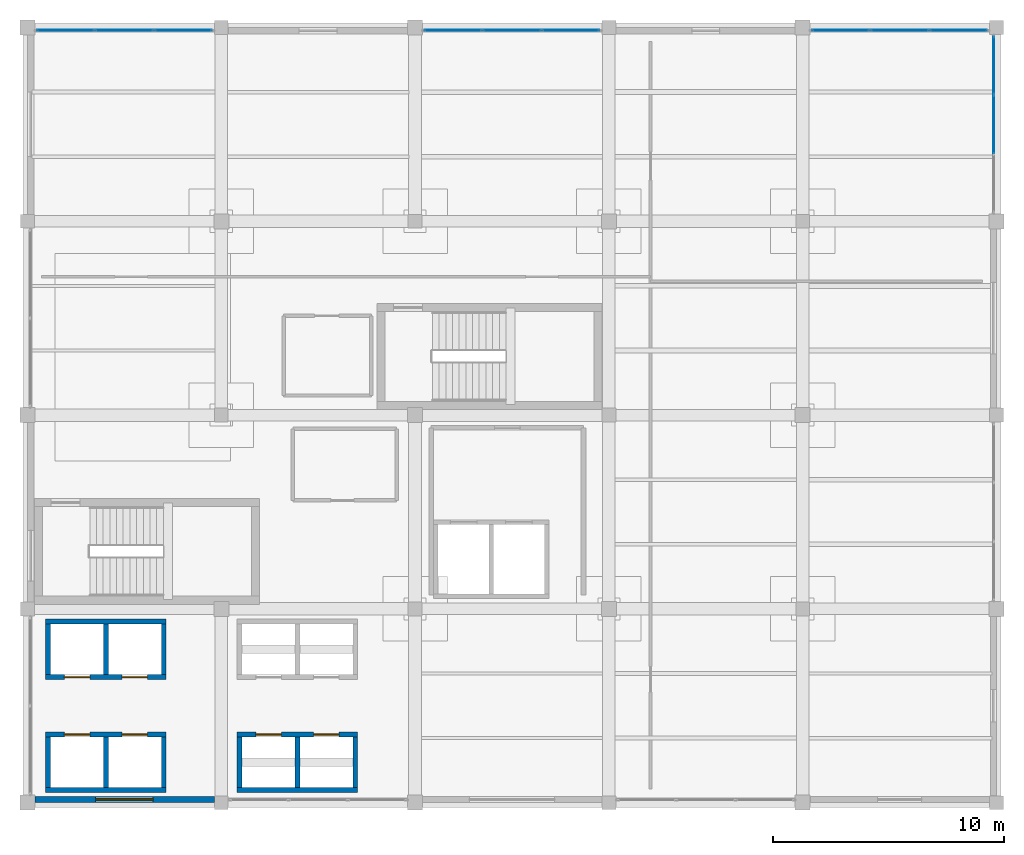
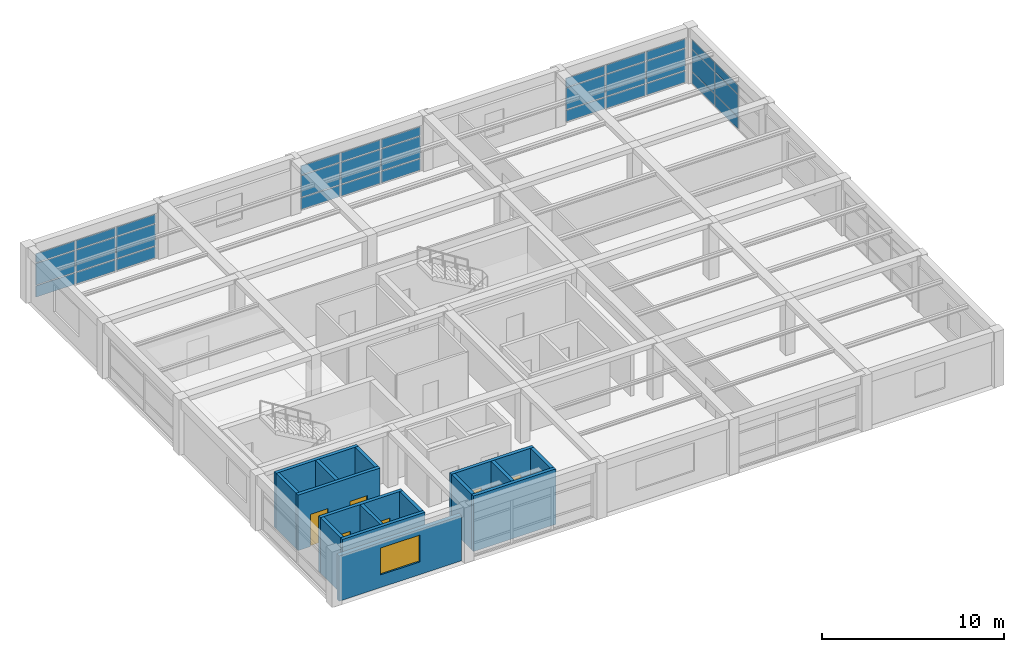
# One storey, part 23 of 26: 33 plates, 16 walls, 6 doors, 1 window, 7 openings, 4 elements without a shape of their own.
"""IFC4 building model written with IfcOpenShell, lengths in metres."""

from ifc_helpers import new_model, si_unit, direction, frame, frame_2d, origin, origin_2d, place, context, subcontext, project, spatial, rectangle, extrude, material, layer, layer_set, type_object, element, fill, aggregate, save


model = new_model("IFC4")

# Units and contexts
model_context = context("Model", 3, precision=1e-05, world=origin(), true_north=direction((0.0, 1.0)))
body_context = subcontext(model_context, "Body", "Model", "MODEL_VIEW")
ifc_project = project(units=[si_unit("LENGTHUNIT", "METRE"), si_unit("AREAUNIT", "SQUARE_METRE"), si_unit("VOLUMEUNIT", "CUBIC_METRE"), si_unit("PLANEANGLEUNIT", "RADIAN"), si_unit("MASSUNIT", "GRAM", prefix="KILO")], contexts=[model_context])

# Site, building, storey
site_placement = place(None, origin())
site = spatial("IfcSite", under=ifc_project, at=site_placement, CompositionType="ELEMENT")
building_placement = place(site_placement, origin())
building = spatial("IfcBuilding", under=site, at=building_placement, Name="Almacenes y Pasaje Nevantli", CompositionType="ELEMENT")
storey_placement = place(building_placement, frame((0.0, 0.0, 46.699951171875)))
storey = spatial("IfcBuildingStorey", under=building, at=storey_placement, Name="L11", CompositionType="ELEMENT", Elevation=46.699951171875)

# Curtain wall, plates
ifc_material_1 = material(Name="Thermally Broken Aluminium and Low-E Glass", Category="aluminium")
curtain_wall_type = type_object("IfcCurtainWallType", Name="CW-UNIT-TOWER", PredefinedType="USERDEFINED", material=ifc_material_1)
curtain_wall_1_placement = place(storey_placement, origin())
curtain_wall_1 = element("IfcCurtainWall", 1, at=curtain_wall_1_placement, inside=storey, type_object=curtain_wall_type, Name="L11 Tower North Boulevard Unitized Curtain Wall Bay 15", ObjectType="UNITIZED CURTAIN WALL", PredefinedType="USERDEFINED")
ifc_material_2 = material(Name="Acoustic Tempered Low-E Triple Glazed Unit", Category="glass")
ifc_layer_1 = layer(ifc_material_2, 0.0419921875)
ifc_layer_set_1 = layer_set([ifc_layer_1], Name="Acoustic Tempered Low-E Triple Glazed Unit")
plate_type = type_object("IfcPlateType", Name="PL-IGU-42", PredefinedType="CURTAIN_PANEL", material=ifc_layer_set_1)
plate_1_placement = place(storey_placement, frame((119.24951171875, 100.679931640625, 0.065185546875), z_axis=(0.0, 0.0, 1.0), x_axis=(1.0, 0.0, 0.0)))
plate_1 = element("IfcPlate", 2, at=plate_1_placement, type_object=plate_type, Name="CW-L11-150 panel 1.1", PredefinedType="CURTAIN_PANEL", context=body_context, shape_type="SweptSolid", body=[
    extrude(rectangle(XDim=2.46923828125, YDim=0.0419921875, at=origin_2d()), origin(), (0.0, 0.0, 1.0), 0.75244140625),
])
plate_2_placement = place(storey_placement, frame((119.24951171875, 100.679931640625, 0.882568359375), z_axis=(0.0, 0.0, 1.0), x_axis=(1.0, 0.0, 0.0)))
plate_2 = element("IfcPlate", 3, at=plate_2_placement, type_object=plate_type, Name="CW-L11-150 panel 1.2", PredefinedType="CURTAIN_PANEL", context=body_context, shape_type="SweptSolid", body=[
    extrude(rectangle(XDim=2.46923828125, YDim=0.0419921875, at=origin_2d()), origin(), (0.0, 0.0, 1.0), 1.43505859375),
])
plate_3_placement = place(storey_placement, frame((119.24951171875, 100.679931640625, 2.38232421875), z_axis=(0.0, 0.0, 1.0), x_axis=(1.0, 0.0, 0.0)))
plate_3 = element("IfcPlate", 4, at=plate_3_placement, type_object=plate_type, Name="CW-L11-150 panel 1.3", PredefinedType="CURTAIN_PANEL", context=body_context, shape_type="SweptSolid", body=[
    extrude(rectangle(XDim=2.46923828125, YDim=0.0419921875, at=origin_2d()), origin(), (0.0, 0.0, 1.0), 0.592529296875),
])
plate_4_placement = place(storey_placement, frame((121.800048828125, 100.679931640625, 0.065185546875), z_axis=(0.0, 0.0, 1.0), x_axis=(1.0, 0.0, 0.0)))
plate_4 = element("IfcPlate", 5, at=plate_4_placement, type_object=plate_type, Name="CW-L11-150 panel 2.1", PredefinedType="CURTAIN_PANEL", context=body_context, shape_type="SweptSolid", body=[
    extrude(rectangle(XDim=2.501708984375, YDim=0.0419921875, at=origin_2d()), origin(), (0.0, 0.0, 1.0), 0.75244140625),
])
plate_5_placement = place(storey_placement, frame((121.800048828125, 100.679931640625, 0.882568359375), z_axis=(0.0, 0.0, 1.0), x_axis=(1.0, 0.0, 0.0)))
plate_5 = element("IfcPlate", 6, at=plate_5_placement, type_object=plate_type, Name="CW-L11-150 panel 2.2", PredefinedType="CURTAIN_PANEL", context=body_context, shape_type="SweptSolid", body=[
    extrude(rectangle(XDim=2.501708984375, YDim=0.0419921875, at=origin_2d()), origin(), (0.0, 0.0, 1.0), 1.43505859375),
])
plate_6_placement = place(storey_placement, frame((121.800048828125, 100.679931640625, 2.38232421875), z_axis=(0.0, 0.0, 1.0), x_axis=(1.0, 0.0, 0.0)))
plate_6 = element("IfcPlate", 7, at=plate_6_placement, type_object=plate_type, Name="CW-L11-150 panel 2.3", PredefinedType="CURTAIN_PANEL", context=body_context, shape_type="SweptSolid", body=[
    extrude(rectangle(XDim=2.501708984375, YDim=0.0419921875, at=origin_2d()), origin(), (0.0, 0.0, 1.0), 0.592529296875),
])
plate_7_placement = place(storey_placement, frame((124.350341796875, 100.679931640625, 0.065185546875), z_axis=(0.0, 0.0, 1.0), x_axis=(1.0, 0.0, 0.0)))
plate_7 = element("IfcPlate", 8, at=plate_7_placement, type_object=plate_type, Name="CW-L11-150 panel 3.1", PredefinedType="CURTAIN_PANEL", context=body_context, shape_type="SweptSolid", body=[
    extrude(rectangle(XDim=2.46923828125, YDim=0.0419921875, at=origin_2d()), origin(), (0.0, 0.0, 1.0), 0.75244140625),
])
plate_8_placement = place(storey_placement, frame((124.350341796875, 100.679931640625, 0.882568359375), z_axis=(0.0, 0.0, 1.0), x_axis=(1.0, 0.0, 0.0)))
plate_8 = element("IfcPlate", 9, at=plate_8_placement, type_object=plate_type, Name="CW-L11-150 panel 3.2", PredefinedType="CURTAIN_PANEL", context=body_context, shape_type="SweptSolid", body=[
    extrude(rectangle(XDim=2.46923828125, YDim=0.0419921875, at=origin_2d()), origin(), (0.0, 0.0, 1.0), 1.43505859375),
])
plate_9_placement = place(storey_placement, frame((124.350341796875, 100.679931640625, 2.38232421875), z_axis=(0.0, 0.0, 1.0), x_axis=(1.0, 0.0, 0.0)))
plate_9 = element("IfcPlate", 10, at=plate_9_placement, type_object=plate_type, Name="CW-L11-150 panel 3.3", PredefinedType="CURTAIN_PANEL", context=body_context, shape_type="SweptSolid", body=[
    extrude(rectangle(XDim=2.46923828125, YDim=0.0419921875, at=origin_2d()), origin(), (0.0, 0.0, 1.0), 0.592529296875),
])
aggregate(curtain_wall_1, [plate_1, plate_2, plate_3, plate_4, plate_5, plate_6, plate_7, plate_8, plate_9])

curtain_wall_2_placement = place(storey_placement, origin())
curtain_wall_2 = element("IfcCurtainWall", 11, at=curtain_wall_2_placement, inside=storey, type_object=curtain_wall_type, Name="L11 Tower North Boulevard Unitized Curtain Wall Bay 17", ObjectType="UNITIZED CURTAIN WALL", PredefinedType="USERDEFINED")
plate_10_placement = place(storey_placement, frame((136.049560546875, 100.679931640625, 0.065185546875), z_axis=(0.0, 0.0, 1.0), x_axis=(1.0, 0.0, 0.0)))
plate_10 = element("IfcPlate", 12, at=plate_10_placement, type_object=plate_type, Name="CW-L11-152 panel 1.1", PredefinedType="CURTAIN_PANEL", context=body_context, shape_type="SweptSolid", body=[
    extrude(rectangle(XDim=2.46923828125, YDim=0.0419921875, at=origin_2d()), origin(), (0.0, 0.0, 1.0), 0.75244140625),
])
plate_11_placement = place(storey_placement, frame((136.049560546875, 100.679931640625, 0.882568359375), z_axis=(0.0, 0.0, 1.0), x_axis=(1.0, 0.0, 0.0)))
plate_11 = element("IfcPlate", 13, at=plate_11_placement, type_object=plate_type, Name="CW-L11-152 panel 1.2", PredefinedType="CURTAIN_PANEL", context=body_context, shape_type="SweptSolid", body=[
    extrude(rectangle(XDim=2.46923828125, YDim=0.0419921875, at=origin_2d()), origin(), (0.0, 0.0, 1.0), 1.43505859375),
])
plate_12_placement = place(storey_placement, frame((136.049560546875, 100.679931640625, 2.38232421875), z_axis=(0.0, 0.0, 1.0), x_axis=(1.0, 0.0, 0.0)))
plate_12 = element("IfcPlate", 14, at=plate_12_placement, type_object=plate_type, Name="CW-L11-152 panel 1.3", PredefinedType="CURTAIN_PANEL", context=body_context, shape_type="SweptSolid", body=[
    extrude(rectangle(XDim=2.46923828125, YDim=0.0419921875, at=origin_2d()), origin(), (0.0, 0.0, 1.0), 0.592529296875),
])
plate_13_placement = place(storey_placement, frame((138.60009765625, 100.679931640625, 0.065185546875), z_axis=(0.0, 0.0, 1.0), x_axis=(1.0, 0.0, 0.0)))
plate_13 = element("IfcPlate", 15, at=plate_13_placement, type_object=plate_type, Name="CW-L11-152 panel 2.1", PredefinedType="CURTAIN_PANEL", context=body_context, shape_type="SweptSolid", body=[
    extrude(rectangle(XDim=2.501708984375, YDim=0.0419921875, at=origin_2d()), origin(), (0.0, 0.0, 1.0), 0.75244140625),
])
plate_14_placement = place(storey_placement, frame((138.60009765625, 100.679931640625, 0.882568359375), z_axis=(0.0, 0.0, 1.0), x_axis=(1.0, 0.0, 0.0)))
plate_14 = element("IfcPlate", 16, at=plate_14_placement, type_object=plate_type, Name="CW-L11-152 panel 2.2", PredefinedType="CURTAIN_PANEL", context=body_context, shape_type="SweptSolid", body=[
    extrude(rectangle(XDim=2.501708984375, YDim=0.0419921875, at=origin_2d()), origin(), (0.0, 0.0, 1.0), 1.43505859375),
])
plate_15_placement = place(storey_placement, frame((138.60009765625, 100.679931640625, 2.38232421875), z_axis=(0.0, 0.0, 1.0), x_axis=(1.0, 0.0, 0.0)))
plate_15 = element("IfcPlate", 17, at=plate_15_placement, type_object=plate_type, Name="CW-L11-152 panel 2.3", PredefinedType="CURTAIN_PANEL", context=body_context, shape_type="SweptSolid", body=[
    extrude(rectangle(XDim=2.501708984375, YDim=0.0419921875, at=origin_2d()), origin(), (0.0, 0.0, 1.0), 0.592529296875),
])
plate_16_placement = place(storey_placement, frame((141.150390625, 100.679931640625, 0.065185546875), z_axis=(0.0, 0.0, 1.0), x_axis=(1.0, 0.0, 0.0)))
plate_16 = element("IfcPlate", 18, at=plate_16_placement, type_object=plate_type, Name="CW-L11-152 panel 3.1", PredefinedType="CURTAIN_PANEL", context=body_context, shape_type="SweptSolid", body=[
    extrude(rectangle(XDim=2.46923828125, YDim=0.0419921875, at=origin_2d()), origin(), (0.0, 0.0, 1.0), 0.75244140625),
])
plate_17_placement = place(storey_placement, frame((141.150390625, 100.679931640625, 0.882568359375), z_axis=(0.0, 0.0, 1.0), x_axis=(1.0, 0.0, 0.0)))
plate_17 = element("IfcPlate", 19, at=plate_17_placement, type_object=plate_type, Name="CW-L11-152 panel 3.2", PredefinedType="CURTAIN_PANEL", context=body_context, shape_type="SweptSolid", body=[
    extrude(rectangle(XDim=2.46923828125, YDim=0.0419921875, at=origin_2d()), origin(), (0.0, 0.0, 1.0), 1.43505859375),
])
plate_18_placement = place(storey_placement, frame((141.150390625, 100.679931640625, 2.38232421875), z_axis=(0.0, 0.0, 1.0), x_axis=(1.0, 0.0, 0.0)))
plate_18 = element("IfcPlate", 20, at=plate_18_placement, type_object=plate_type, Name="CW-L11-152 panel 3.3", PredefinedType="CURTAIN_PANEL", context=body_context, shape_type="SweptSolid", body=[
    extrude(rectangle(XDim=2.46923828125, YDim=0.0419921875, at=origin_2d()), origin(), (0.0, 0.0, 1.0), 0.592529296875),
])
aggregate(curtain_wall_2, [plate_10, plate_11, plate_12, plate_13, plate_14, plate_15, plate_16, plate_17, plate_18])

curtain_wall_3_placement = place(storey_placement, origin())
curtain_wall_3 = element("IfcCurtainWall", 21, at=curtain_wall_3_placement, inside=storey, type_object=curtain_wall_type, Name="L11 Tower North Boulevard Unitized Curtain Wall Bay 19", ObjectType="UNITIZED CURTAIN WALL", PredefinedType="USERDEFINED")
plate_19_placement = place(storey_placement, frame((152.849609375, 100.679931640625, 0.065185546875), z_axis=(0.0, 0.0, 1.0), x_axis=(1.0, 0.0, 0.0)))
plate_19 = element("IfcPlate", 22, at=plate_19_placement, type_object=plate_type, Name="CW-L11-154 panel 1.1", PredefinedType="CURTAIN_PANEL", context=body_context, shape_type="SweptSolid", body=[
    extrude(rectangle(XDim=2.46923828125, YDim=0.0419921875, at=origin_2d()), origin(), (0.0, 0.0, 1.0), 0.75244140625),
])
plate_20_placement = place(storey_placement, frame((152.849609375, 100.679931640625, 0.882568359375), z_axis=(0.0, 0.0, 1.0), x_axis=(1.0, 0.0, 0.0)))
plate_20 = element("IfcPlate", 23, at=plate_20_placement, type_object=plate_type, Name="CW-L11-154 panel 1.2", PredefinedType="CURTAIN_PANEL", context=body_context, shape_type="SweptSolid", body=[
    extrude(rectangle(XDim=2.46923828125, YDim=0.0419921875, at=origin_2d()), origin(), (0.0, 0.0, 1.0), 1.43505859375),
])
plate_21_placement = place(storey_placement, frame((152.849609375, 100.679931640625, 2.38232421875), z_axis=(0.0, 0.0, 1.0), x_axis=(1.0, 0.0, 0.0)))
plate_21 = element("IfcPlate", 24, at=plate_21_placement, type_object=plate_type, Name="CW-L11-154 panel 1.3", PredefinedType="CURTAIN_PANEL", context=body_context, shape_type="SweptSolid", body=[
    extrude(rectangle(XDim=2.46923828125, YDim=0.0419921875, at=origin_2d()), origin(), (0.0, 0.0, 1.0), 0.592529296875),
])
plate_22_placement = place(storey_placement, frame((155.39990234375, 100.679931640625, 0.065185546875), z_axis=(0.0, 0.0, 1.0), x_axis=(1.0, 0.0, 0.0)))
plate_22 = element("IfcPlate", 25, at=plate_22_placement, type_object=plate_type, Name="CW-L11-154 panel 2.1", PredefinedType="CURTAIN_PANEL", context=body_context, shape_type="SweptSolid", body=[
    extrude(rectangle(XDim=2.501708984375, YDim=0.0419921875, at=origin_2d()), origin(), (0.0, 0.0, 1.0), 0.75244140625),
])
plate_23_placement = place(storey_placement, frame((155.39990234375, 100.679931640625, 0.882568359375), z_axis=(0.0, 0.0, 1.0), x_axis=(1.0, 0.0, 0.0)))
plate_23 = element("IfcPlate", 26, at=plate_23_placement, type_object=plate_type, Name="CW-L11-154 panel 2.2", PredefinedType="CURTAIN_PANEL", context=body_context, shape_type="SweptSolid", body=[
    extrude(rectangle(XDim=2.501708984375, YDim=0.0419921875, at=origin_2d()), origin(), (0.0, 0.0, 1.0), 1.43505859375),
])
plate_24_placement = place(storey_placement, frame((155.39990234375, 100.679931640625, 2.38232421875), z_axis=(0.0, 0.0, 1.0), x_axis=(1.0, 0.0, 0.0)))
plate_24 = element("IfcPlate", 27, at=plate_24_placement, type_object=plate_type, Name="CW-L11-154 panel 2.3", PredefinedType="CURTAIN_PANEL", context=body_context, shape_type="SweptSolid", body=[
    extrude(rectangle(XDim=2.501708984375, YDim=0.0419921875, at=origin_2d()), origin(), (0.0, 0.0, 1.0), 0.592529296875),
])
plate_25_placement = place(storey_placement, frame((157.950439453125, 100.679931640625, 0.065185546875), z_axis=(0.0, 0.0, 1.0), x_axis=(1.0, 0.0, 0.0)))
plate_25 = element("IfcPlate", 28, at=plate_25_placement, type_object=plate_type, Name="CW-L11-154 panel 3.1", PredefinedType="CURTAIN_PANEL", context=body_context, shape_type="SweptSolid", body=[
    extrude(rectangle(XDim=2.46923828125, YDim=0.0419921875, at=origin_2d()), origin(), (0.0, 0.0, 1.0), 0.75244140625),
])
plate_26_placement = place(storey_placement, frame((157.950439453125, 100.679931640625, 0.882568359375), z_axis=(0.0, 0.0, 1.0), x_axis=(1.0, 0.0, 0.0)))
plate_26 = element("IfcPlate", 29, at=plate_26_placement, type_object=plate_type, Name="CW-L11-154 panel 3.2", PredefinedType="CURTAIN_PANEL", context=body_context, shape_type="SweptSolid", body=[
    extrude(rectangle(XDim=2.46923828125, YDim=0.0419921875, at=origin_2d()), origin(), (0.0, 0.0, 1.0), 1.43505859375),
])
plate_27_placement = place(storey_placement, frame((157.950439453125, 100.679931640625, 2.38232421875), z_axis=(0.0, 0.0, 1.0), x_axis=(1.0, 0.0, 0.0)))
plate_27 = element("IfcPlate", 30, at=plate_27_placement, type_object=plate_type, Name="CW-L11-154 panel 3.3", PredefinedType="CURTAIN_PANEL", context=body_context, shape_type="SweptSolid", body=[
    extrude(rectangle(XDim=2.46923828125, YDim=0.0419921875, at=origin_2d()), origin(), (0.0, 0.0, 1.0), 0.592529296875),
])
aggregate(curtain_wall_3, [plate_19, plate_20, plate_21, plate_22, plate_23, plate_24, plate_25, plate_26, plate_27])

curtain_wall_4_placement = place(storey_placement, origin())
curtain_wall_4 = element("IfcCurtainWall", 31, at=curtain_wall_4_placement, inside=storey, type_object=curtain_wall_type, Name="L11 Tower East Curtain Wall Bay 12", ObjectType="UNITIZED CURTAIN WALL", PredefinedType="USERDEFINED")
plate_28_placement = place(storey_placement, frame((159.47998046875, 96.60009765625, 0.06005859375), z_axis=(0.0, 0.0, 1.0), x_axis=(0.0, 1.0, 0.0)))
plate_28 = element("IfcPlate", 32, at=plate_28_placement, type_object=plate_type, Name="CW-L11-158 panel 2.1", PredefinedType="CURTAIN_PANEL", context=body_context, shape_type="SweptSolid", body=[
    extrude(rectangle(XDim=2.506591796875, YDim=0.0419921875, at=origin_2d()), origin(), (0.0, 0.0, 1.0), 0.760009765625),
])
plate_29_placement = place(storey_placement, frame((159.47998046875, 96.60009765625, 0.880126953125), z_axis=(0.0, 0.0, 1.0), x_axis=(0.0, 1.0, 0.0)))
plate_29 = element("IfcPlate", 33, at=plate_29_placement, type_object=plate_type, Name="CW-L11-158 panel 2.2", PredefinedType="CURTAIN_PANEL", context=body_context, shape_type="SweptSolid", body=[
    extrude(rectangle(XDim=2.506591796875, YDim=0.0419921875, at=origin_2d()), origin(), (0.0, 0.0, 1.0), 1.43994140625),
])
plate_30_placement = place(storey_placement, frame((159.47998046875, 96.60009765625, 2.3798828125), z_axis=(0.0, 0.0, 1.0), x_axis=(0.0, 1.0, 0.0)))
plate_30 = element("IfcPlate", 34, at=plate_30_placement, type_object=plate_type, Name="CW-L11-158 panel 2.3", PredefinedType="CURTAIN_PANEL", context=body_context, shape_type="SweptSolid", body=[
    extrude(rectangle(XDim=2.506591796875, YDim=0.0419921875, at=origin_2d()), origin(), (0.0, 0.0, 1.0), 0.60009765625),
])
plate_31_placement = place(storey_placement, frame((159.47998046875, 99.151611328125, 0.06005859375), z_axis=(0.0, 0.0, 1.0), x_axis=(0.0, 1.0, 0.0)))
plate_31 = element("IfcPlate", 35, at=plate_31_placement, type_object=plate_type, Name="CW-L11-158 panel 3.1", PredefinedType="CURTAIN_PANEL", context=body_context, shape_type="SweptSolid", body=[
    extrude(rectangle(XDim=2.4765625, YDim=0.0419921875, at=origin_2d()), origin(), (0.0, 0.0, 1.0), 0.760009765625),
])
plate_32_placement = place(storey_placement, frame((159.47998046875, 99.151611328125, 0.880126953125), z_axis=(0.0, 0.0, 1.0), x_axis=(0.0, 1.0, 0.0)))
plate_32 = element("IfcPlate", 36, at=plate_32_placement, type_object=plate_type, Name="CW-L11-158 panel 3.2", PredefinedType="CURTAIN_PANEL", context=body_context, shape_type="SweptSolid", body=[
    extrude(rectangle(XDim=2.4765625, YDim=0.0419921875, at=origin_2d()), origin(), (0.0, 0.0, 1.0), 1.43994140625),
])
plate_33_placement = place(storey_placement, frame((159.47998046875, 99.151611328125, 2.3798828125), z_axis=(0.0, 0.0, 1.0), x_axis=(0.0, 1.0, 0.0)))
plate_33 = element("IfcPlate", 37, at=plate_33_placement, type_object=plate_type, Name="CW-L11-158 panel 3.3", PredefinedType="CURTAIN_PANEL", context=body_context, shape_type="SweptSolid", body=[
    extrude(rectangle(XDim=2.4765625, YDim=0.0419921875, at=origin_2d()), origin(), (0.0, 0.0, 1.0), 0.60009765625),
])
aggregate(curtain_wall_4, [plate_28, plate_29, plate_30, plate_31, plate_32, plate_33])

# Wall, opening, window
ifc_material_3 = material(Name="Cream Architectural Precast Concrete C35/45 Wall", Category="concrete")
ifc_layer_2 = layer(ifc_material_3, 0.260009765625)
ifc_layer_set_2 = layer_set([ifc_layer_2], Name="Cream Architectural Precast Concrete C35/45 Wall")
wall_type_1 = type_object("IfcWallType", Name="WL-EXT-PRECAST-260", PredefinedType="SOLIDWALL", material=ifc_layer_set_2)
wall_1_placement = place(storey_placement, frame((117.927978515625, 67.340087890625, 0.0), z_axis=(0.0, 0.0, 1.0), x_axis=(1.0, 0.0, 0.0)))
wall_1 = element("IfcWall", 38, at=wall_1_placement, inside=storey, type_object=wall_type_1, Name="L11 Tower South Precast Spandrel Wall Bay 15", PredefinedType="SOLIDWALL", context=body_context, shape_type="SweptSolid", body=[
    extrude(rectangle(XDim=7.76806640625, YDim=0.260009765625, at=frame_2d((3.884033203125, 0.0))), origin(), (0.0, 0.0, 1.0), 3.0400390625),
])
opening_1_placement = place(wall_1_placement, frame((2.6220703125, 0.0, 0.85009765625)))
opening_1 = element("IfcOpeningElement", 39, at=opening_1_placement, cuts=wall_1, Name="Opening WT-30-241", PredefinedType="OPENING", context=body_context, shape_type="SweptSolid", body=[
    extrude(rectangle(XDim=2.5, YDim=1.800048828125, at=frame_2d((1.25, 0.89990234375))), frame((0.0, 0.139892578125, 0.0), z_axis=(0.0, -1.0, 0.0), x_axis=(1.0, 0.0, 0.0)), (0.0, 0.0, 1.0), 0.280029296875),
])
ifc_material_4 = material(Name="Thermally Broken Aluminium and Low-E Double Glazing", Category="aluminium")
window_type = type_object("IfcWindowType", Name="WN-TWR-2500x1800", PartitioningType="SINGLE_PANEL", PredefinedType="WINDOW", material=ifc_material_4)
window_placement = place(opening_1_placement, origin())
window = element("IfcWindow", 40, at=window_placement, inside=storey, type_object=window_type, Name="L11 Exterior Window WT-30 #241", OverallHeight=1.800048828125, OverallWidth=2.5, PartitioningType="SINGLE_PANEL", PredefinedType="WINDOW", context=body_context, shape_type="SweptSolid", body=[
    extrude(rectangle(XDim=2.5, YDim=1.800048828125, at=frame_2d((1.25, 0.89990234375))), frame((0.0, 0.030029296875, 0.0), z_axis=(0.0, -1.0, 0.0), x_axis=(1.0, 0.0, 0.0)), (0.0, 0.0, 1.0), 0.06005859375),
])
fill(opening_1, window)

# Wall
ifc_material_5 = material(Name="Concrete C45/55", Category="concrete")
ifc_layer_3 = layer(ifc_material_5, 0.2099609375)
ifc_layer_set_3 = layer_set([ifc_layer_3], Name="Concrete C45/55")
wall_type_2 = type_object("IfcWallType", Name="WL-SHAFT-210", PredefinedType="SHEAR", material=ifc_layer_set_3)
wall_2_placement = place(storey_placement, frame((126.68994140625, 67.7451171875, 0.0), z_axis=(0.0, 0.0, 1.0), x_axis=(1.0, 0.0, 0.0)))
element("IfcWall", 41, at=wall_2_placement, inside=storey, type_object=wall_type_2, Name="L11 Lift Hoistway ELV-P01-ELV-P02 South Wall", PredefinedType="SHEAR", context=body_context, shape_type="SweptSolid", body=[
    extrude(rectangle(XDim=5.219970703125, YDim=0.2099609375, at=frame_2d((2.60986328125, 0.0))), origin(), (0.0, 0.0, 1.0), 3.719970703125),
])

# Wall, openings, doors
wall_3_placement = place(storey_placement, frame((126.68994140625, 70.155029296875, 0.0), z_axis=(0.0, 0.0, 1.0), x_axis=(1.0, 0.0, 0.0)))
wall_3 = element("IfcWall", 42, at=wall_3_placement, inside=storey, type_object=wall_type_2, Name="L11 Lift Hoistway ELV-P01-ELV-P02 North Wall", PredefinedType="SHEAR", context=body_context, shape_type="SweptSolid", body=[
    extrude(rectangle(XDim=5.219970703125, YDim=0.2099609375, at=frame_2d((2.60986328125, 0.0))), origin(), (0.0, 0.0, 1.0), 3.719970703125),
])
opening_2_placement = place(wall_3_placement, frame((0.81005859375, 0.0, 0.0)))
opening_2 = element("IfcOpeningElement", 43, at=opening_2_placement, cuts=wall_3, Name="Opening LD-P01-L11", PredefinedType="OPENING", context=body_context, shape_type="SweptSolid", body=[
    extrude(rectangle(XDim=1.10009765625, YDim=2.14990234375, at=frame_2d((0.550048828125, 1.074951171875))), frame((0.0, 0.114990234375, 0.0), z_axis=(0.0, -1.0, 0.0), x_axis=(1.0, 0.0, 0.0)), (0.0, 0.0, 1.0), 0.22998046875),
])
opening_3_placement = place(wall_3_placement, frame((3.31005859375, 0.0, 0.0)))
opening_3 = element("IfcOpeningElement", 44, at=opening_3_placement, cuts=wall_3, Name="Opening LD-P02-L11", PredefinedType="OPENING", context=body_context, shape_type="SweptSolid", body=[
    extrude(rectangle(XDim=1.10009765625, YDim=2.14990234375, at=frame_2d((0.550048828125, 1.074951171875))), frame((0.0, 0.114990234375, 0.0), z_axis=(0.0, -1.0, 0.0), x_axis=(1.0, 0.0, 0.0)), (0.0, 0.0, 1.0), 0.22998046875),
])
ifc_material_6 = material(Name="Brushed Stainless Steel", Category="steel")
door_type = type_object("IfcDoorType", Name="DR-LD-PASS-1100", OperationType="DOUBLE_DOOR_SLIDING", PredefinedType="DOOR", material=ifc_material_6)
door_1_placement = place(opening_2_placement, origin())
door_1 = element("IfcDoor", 45, at=door_1_placement, inside=storey, type_object=door_type, Name="Lift Landing Door ELV-P01 L11", OperationType="DOUBLE_DOOR_SLIDING", OverallHeight=2.14990234375, OverallWidth=1.10009765625, PredefinedType="DOOR", context=body_context, shape_type="SweptSolid", body=[
    extrude(rectangle(XDim=1.10009765625, YDim=2.14990234375, at=frame_2d((0.550048828125, 1.074951171875))), frame((0.0, 0.02490234375, 0.0), z_axis=(0.0, -1.0, 0.0), x_axis=(1.0, 0.0, 0.0)), (0.0, 0.0, 1.0), 0.050048828125),
])
fill(opening_2, door_1)
door_2_placement = place(opening_3_placement, origin())
door_2 = element("IfcDoor", 46, at=door_2_placement, inside=storey, type_object=door_type, Name="Lift Landing Door ELV-P02 L11", OperationType="DOUBLE_DOOR_SLIDING", OverallHeight=2.14990234375, OverallWidth=1.10009765625, PredefinedType="DOOR", context=body_context, shape_type="SweptSolid", body=[
    extrude(rectangle(XDim=1.10009765625, YDim=2.14990234375, at=frame_2d((0.550048828125, 1.074951171875))), frame((0.0, 0.02490234375, 0.0), z_axis=(0.0, -1.0, 0.0), x_axis=(1.0, 0.0, 0.0)), (0.0, 0.0, 1.0), 0.050048828125),
])
fill(opening_3, door_2)

# Walls
for number, where, z_axis, x_axis, name in (
    (47, (126.794921875, 67.85009765625, 0.0), (0.0, 0.0, 1.0), (0.0, 1.0, 0.0), "L11 Lift Hoistway ELV-P01 West Wall"),
    (48, (131.804931640625, 67.85009765625, 0.0), (0.0, 0.0, 1.0), (0.0, 1.0, 0.0), "L11 Lift Hoistway ELV-P02 East Wall"),
    (49, (129.300048828125, 67.85009765625, 0.0), (0.0, 0.0, 1.0), (0.0, 1.0, 0.0), "L11 Lift Hoistway Divider Wall ELV-P01/ELV-P02"),
):
    element("IfcWall", number, at=place(storey_placement, frame(where, z_axis=z_axis, x_axis=x_axis)), inside=storey, type_object=wall_type_2, Name=name, PredefinedType="SHEAR", context=body_context, shape_type="SweptSolid", body=[
        extrude(rectangle(XDim=2.199951171875, YDim=0.2099609375, at=frame_2d((1.10009765625, 0.0))), origin(), (0.0, 0.0, 1.0), 3.719970703125),
    ])
wall_4_placement = place(storey_placement, frame((118.389892578125, 67.7451171875, 0.0), z_axis=(0.0, 0.0, 1.0), x_axis=(1.0, 0.0, 0.0)))
element("IfcWall", 50, at=wall_4_placement, inside=storey, type_object=wall_type_2, Name="L11 Lift Hoistway ELV-P05-ELV-P06 South Wall", PredefinedType="SHEAR", context=body_context, shape_type="SweptSolid", body=[
    extrude(rectangle(XDim=5.22021484375, YDim=0.2099609375, at=frame_2d((2.610107421875, 0.0))), origin(), (0.0, 0.0, 1.0), 3.719970703125),
])

# Wall, openings, doors
wall_5_placement = place(storey_placement, frame((118.389892578125, 70.155029296875, 0.0), z_axis=(0.0, 0.0, 1.0), x_axis=(1.0, 0.0, 0.0)))
wall_5 = element("IfcWall", 51, at=wall_5_placement, inside=storey, type_object=wall_type_2, Name="L11 Lift Hoistway ELV-P05-ELV-P06 North Wall", PredefinedType="SHEAR", context=body_context, shape_type="SweptSolid", body=[
    extrude(rectangle(XDim=5.22021484375, YDim=0.2099609375, at=frame_2d((2.610107421875, 0.0))), origin(), (0.0, 0.0, 1.0), 3.719970703125),
])
opening_4_placement = place(wall_5_placement, frame((0.81005859375, 0.0, 0.0)))
opening_4 = element("IfcOpeningElement", 52, at=opening_4_placement, cuts=wall_5, Name="Opening LD-P05-L11", PredefinedType="OPENING", context=body_context, shape_type="SweptSolid", body=[
    extrude(rectangle(XDim=1.10009765625, YDim=2.14990234375, at=frame_2d((0.550048828125, 1.074951171875))), frame((0.0, 0.114990234375, 0.0), z_axis=(0.0, -1.0, 0.0), x_axis=(1.0, 0.0, 0.0)), (0.0, 0.0, 1.0), 0.22998046875),
])
opening_5_placement = place(wall_5_placement, frame((3.31005859375, 0.0, 0.0)))
opening_5 = element("IfcOpeningElement", 53, at=opening_5_placement, cuts=wall_5, Name="Opening LD-P06-L11", PredefinedType="OPENING", context=body_context, shape_type="SweptSolid", body=[
    extrude(rectangle(XDim=1.10009765625, YDim=2.14990234375, at=frame_2d((0.550048828125, 1.074951171875))), frame((0.0, 0.114990234375, 0.0), z_axis=(0.0, -1.0, 0.0), x_axis=(1.0, 0.0, 0.0)), (0.0, 0.0, 1.0), 0.22998046875),
])
door_3_placement = place(opening_4_placement, origin())
door_3 = element("IfcDoor", 54, at=door_3_placement, inside=storey, type_object=door_type, Name="Lift Landing Door ELV-P05 L11", OperationType="DOUBLE_DOOR_SLIDING", OverallHeight=2.14990234375, OverallWidth=1.10009765625, PredefinedType="DOOR", context=body_context, shape_type="SweptSolid", body=[
    extrude(rectangle(XDim=1.10009765625, YDim=2.14990234375, at=frame_2d((0.550048828125, 1.074951171875))), frame((0.0, 0.02490234375, 0.0), z_axis=(0.0, -1.0, 0.0), x_axis=(1.0, 0.0, 0.0)), (0.0, 0.0, 1.0), 0.050048828125),
])
fill(opening_4, door_3)
door_4_placement = place(opening_5_placement, origin())
door_4 = element("IfcDoor", 55, at=door_4_placement, inside=storey, type_object=door_type, Name="Lift Landing Door ELV-P06 L11", OperationType="DOUBLE_DOOR_SLIDING", OverallHeight=2.14990234375, OverallWidth=1.10009765625, PredefinedType="DOOR", context=body_context, shape_type="SweptSolid", body=[
    extrude(rectangle(XDim=1.10009765625, YDim=2.14990234375, at=frame_2d((0.550048828125, 1.074951171875))), frame((0.0, 0.02490234375, 0.0), z_axis=(0.0, -1.0, 0.0), x_axis=(1.0, 0.0, 0.0)), (0.0, 0.0, 1.0), 0.050048828125),
])
fill(opening_5, door_4)

# Walls
for number, where, z_axis, x_axis, name in (
    (56, (118.4951171875, 67.85009765625, 0.0), (0.0, 0.0, 1.0), (0.0, 1.0, 0.0), "L11 Lift Hoistway ELV-P05 West Wall"),
    (57, (123.5048828125, 67.85009765625, 0.0), (0.0, 0.0, 1.0), (0.0, 1.0, 0.0), "L11 Lift Hoistway ELV-P06 East Wall"),
    (58, (121.0, 67.85009765625, 0.0), (0.0, 0.0, 1.0), (0.0, 1.0, 0.0), "L11 Lift Hoistway Divider Wall ELV-P05/ELV-P06"),
):
    element("IfcWall", number, at=place(storey_placement, frame(where, z_axis=z_axis, x_axis=x_axis)), inside=storey, type_object=wall_type_2, Name=name, PredefinedType="SHEAR", context=body_context, shape_type="SweptSolid", body=[
        extrude(rectangle(XDim=2.199951171875, YDim=0.2099609375, at=frame_2d((1.10009765625, 0.0))), origin(), (0.0, 0.0, 1.0), 3.719970703125),
    ])

# Wall, openings, doors
wall_6_placement = place(storey_placement, frame((118.389892578125, 72.64501953125, 0.0), z_axis=(0.0, 0.0, 1.0), x_axis=(1.0, 0.0, 0.0)))
wall_6 = element("IfcWall", 59, at=wall_6_placement, inside=storey, type_object=wall_type_2, Name="L11 Lift Hoistway ELV-P07-ELV-P08 South Wall", PredefinedType="SHEAR", context=body_context, shape_type="SweptSolid", body=[
    extrude(rectangle(XDim=5.22021484375, YDim=0.2099609375, at=frame_2d((2.610107421875, 0.0))), origin(), (0.0, 0.0, 1.0), 3.719970703125),
])
opening_6_placement = place(wall_6_placement, frame((0.81005859375, 0.0, 0.0)))
opening_6 = element("IfcOpeningElement", 60, at=opening_6_placement, cuts=wall_6, Name="Opening LD-P07-L11", PredefinedType="OPENING", context=body_context, shape_type="SweptSolid", body=[
    extrude(rectangle(XDim=1.10009765625, YDim=2.14990234375, at=frame_2d((0.550048828125, 1.074951171875))), frame((0.0, 0.114990234375, 0.0), z_axis=(0.0, -1.0, 0.0), x_axis=(1.0, 0.0, 0.0)), (0.0, 0.0, 1.0), 0.22998046875),
])
opening_7_placement = place(wall_6_placement, frame((3.31005859375, 0.0, 0.0)))
opening_7 = element("IfcOpeningElement", 61, at=opening_7_placement, cuts=wall_6, Name="Opening LD-P08-L11", PredefinedType="OPENING", context=body_context, shape_type="SweptSolid", body=[
    extrude(rectangle(XDim=1.10009765625, YDim=2.14990234375, at=frame_2d((0.550048828125, 1.074951171875))), frame((0.0, 0.114990234375, 0.0), z_axis=(0.0, -1.0, 0.0), x_axis=(1.0, 0.0, 0.0)), (0.0, 0.0, 1.0), 0.22998046875),
])
door_5_placement = place(opening_6_placement, origin())
door_5 = element("IfcDoor", 62, at=door_5_placement, inside=storey, type_object=door_type, Name="Lift Landing Door ELV-P07 L11", OperationType="DOUBLE_DOOR_SLIDING", OverallHeight=2.14990234375, OverallWidth=1.10009765625, PredefinedType="DOOR", context=body_context, shape_type="SweptSolid", body=[
    extrude(rectangle(XDim=1.10009765625, YDim=2.14990234375, at=frame_2d((0.550048828125, 1.074951171875))), frame((0.0, 0.02490234375, 0.0), z_axis=(0.0, -1.0, 0.0), x_axis=(1.0, 0.0, 0.0)), (0.0, 0.0, 1.0), 0.050048828125),
])
fill(opening_6, door_5)
door_6_placement = place(opening_7_placement, origin())
door_6 = element("IfcDoor", 63, at=door_6_placement, inside=storey, type_object=door_type, Name="Lift Landing Door ELV-P08 L11", OperationType="DOUBLE_DOOR_SLIDING", OverallHeight=2.14990234375, OverallWidth=1.10009765625, PredefinedType="DOOR", context=body_context, shape_type="SweptSolid", body=[
    extrude(rectangle(XDim=1.10009765625, YDim=2.14990234375, at=frame_2d((0.550048828125, 1.074951171875))), frame((0.0, 0.02490234375, 0.0), z_axis=(0.0, -1.0, 0.0), x_axis=(1.0, 0.0, 0.0)), (0.0, 0.0, 1.0), 0.050048828125),
])
fill(opening_7, door_6)

# Walls
wall_7_placement = place(storey_placement, frame((118.389892578125, 75.054931640625, 0.0), z_axis=(0.0, 0.0, 1.0), x_axis=(1.0, 0.0, 0.0)))
element("IfcWall", 64, at=wall_7_placement, inside=storey, type_object=wall_type_2, Name="L11 Lift Hoistway ELV-P07-ELV-P08 North Wall", PredefinedType="SHEAR", context=body_context, shape_type="SweptSolid", body=[
    extrude(rectangle(XDim=5.22021484375, YDim=0.2099609375, at=frame_2d((2.610107421875, 0.0))), origin(), (0.0, 0.0, 1.0), 3.719970703125),
])
for number, where, z_axis, x_axis, name in (
    (65, (118.4951171875, 72.75, 0.0), (0.0, 0.0, 1.0), (0.0, 1.0, 0.0), "L11 Lift Hoistway ELV-P07 West Wall"),
    (66, (123.5048828125, 72.75, 0.0), (0.0, 0.0, 1.0), (0.0, 1.0, 0.0), "L11 Lift Hoistway ELV-P08 East Wall"),
    (67, (121.0, 72.75, 0.0), (0.0, 0.0, 1.0), (0.0, 1.0, 0.0), "L11 Lift Hoistway Divider Wall ELV-P07/ELV-P08"),
):
    element("IfcWall", number, at=place(storey_placement, frame(where, z_axis=z_axis, x_axis=x_axis)), inside=storey, type_object=wall_type_2, Name=name, PredefinedType="SHEAR", context=body_context, shape_type="SweptSolid", body=[
        extrude(rectangle(XDim=2.199951171875, YDim=0.2099609375, at=frame_2d((1.10009765625, 0.0))), origin(), (0.0, 0.0, 1.0), 3.719970703125),
    ])

save(model, "model.ifc")
